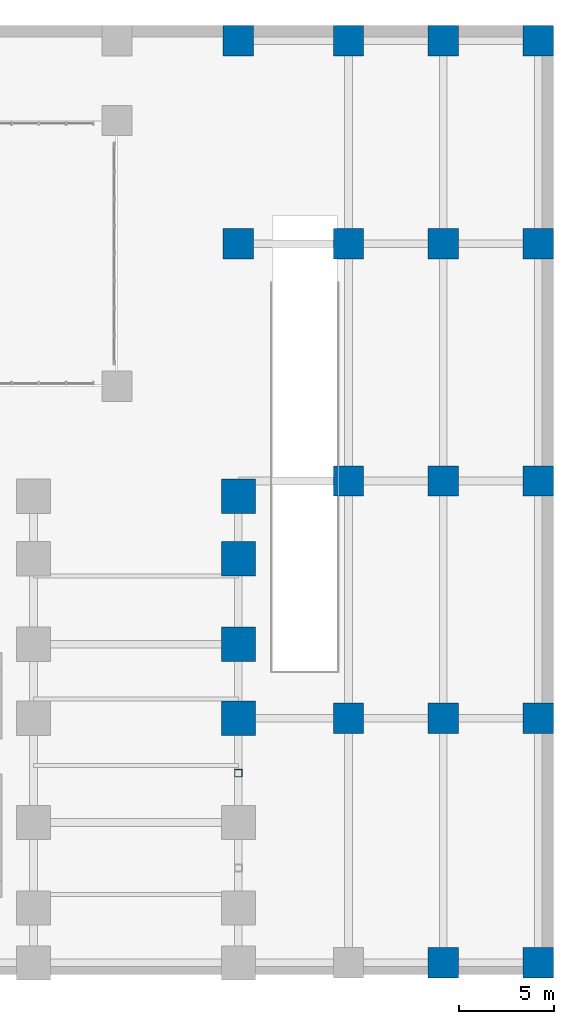
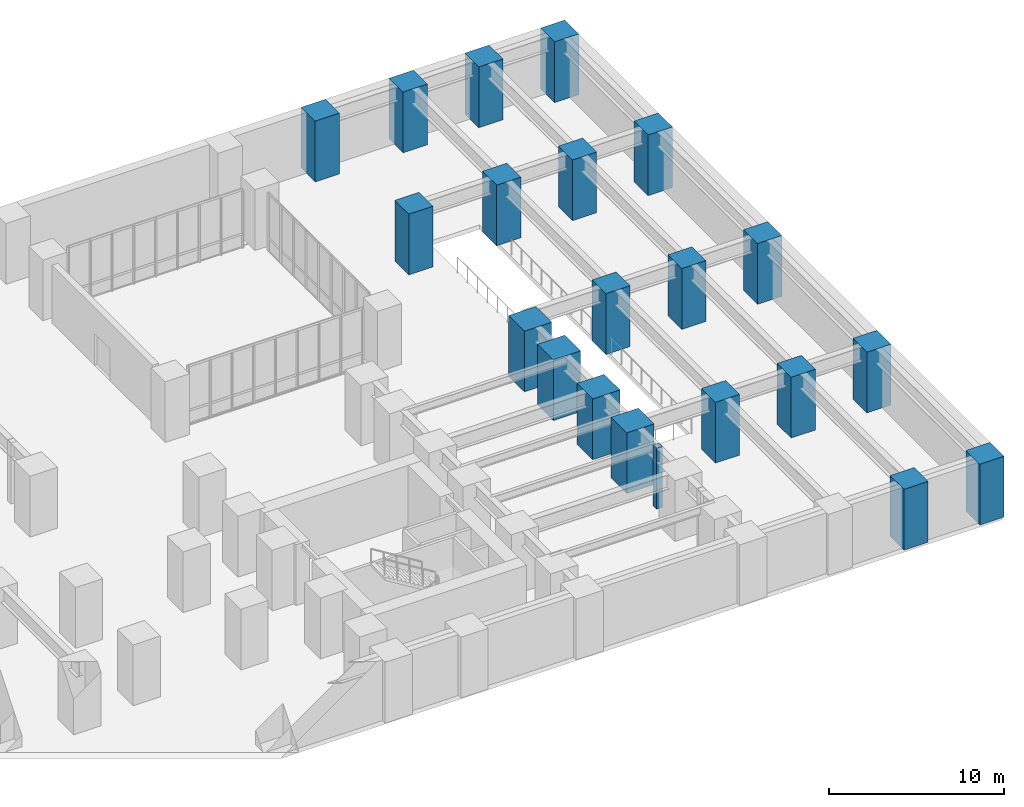
# One storey, part 5 of 18: 21 columns.
"""IFC4 building model written with IfcOpenShell, lengths in metres."""

from ifc_helpers import new_model, si_unit, direction, frame, origin, origin_2d, place, context, subcontext, project, spatial, rectangle, hollow_rectangle, extrude, source, transform, mapped, material, material_profile, profile_set, type_object, element, save


model = new_model("IFC4")

# Units and contexts
model_context = context("Model", 3, precision=1e-05, world=origin(), true_north=direction((0.0, 1.0)))
body_context = subcontext(model_context, "Body", "Model", "MODEL_VIEW")
ifc_project = project(units=[si_unit("LENGTHUNIT", "METRE"), si_unit("AREAUNIT", "SQUARE_METRE"), si_unit("VOLUMEUNIT", "CUBIC_METRE"), si_unit("PLANEANGLEUNIT", "RADIAN"), si_unit("MASSUNIT", "GRAM", prefix="KILO")], contexts=[model_context])

# Site, building, storey
site_placement = place(None, origin())
site = spatial("IfcSite", under=ifc_project, at=site_placement, CompositionType="ELEMENT")
building_placement = place(site_placement, origin())
building = spatial("IfcBuilding", under=site, at=building_placement, Name="Kharzan Plaza Tower", CompositionType="ELEMENT")
storey_placement = place(building_placement, frame((0.0, 0.0, -4.5)))
storey = spatial("IfcBuildingStorey", under=building, at=storey_placement, Name="B01", CompositionType="ELEMENT", Elevation=-4.5)

# Columns
ifc_material_1 = material(Name="Concrete C60/75", Category="concrete")
ifc_material_profile_1 = material_profile(ifc_material_1, rectangle(XDim=1.60009765625, YDim=1.60009765625, at=origin_2d()), Name="RC-MC1600x1600")
ifc_profile_set_1 = profile_set([ifc_material_profile_1], Name="Concrete C60/75")
column_type_1 = type_object("IfcColumnType", Name="COL-BC1600", PredefinedType="COLUMN", material=ifc_profile_set_1)
shared_shape_1 = source(origin(), body_context, "Body", "SweptSolid", [
    extrude(rectangle(XDim=1.60009765625, YDim=1.60009765625, at=origin_2d()), origin(), (0.0, 0.0, 1.0), 4.239990234375),
])
for number, where, z_axis, x_axis, name in (
    (1, (58.39990234375, 38.5, 0.0), (0.0, 0.0, 1.0), (1.0, 0.0, 0.0), "B01 Structural Column BC07"),
    (2, (58.39990234375, 49.199951171875, 0.0), (0.0, 0.0, 1.0), (1.0, 0.0, 0.0), "B01 Structural Column BC08"),
    (3, (64.199951171875, 13.5, 0.0), (0.0, 0.0, 1.0), (1.0, 0.0, 0.0), "B01 Structural Column BC10"),
    (4, (64.199951171875, 26.0, 0.0), (0.0, 0.0, 1.0), (1.0, 0.0, 0.0), "B01 Structural Column BC11"),
    (5, (64.199951171875, 38.5, 0.0), (0.0, 0.0, 1.0), (1.0, 0.0, 0.0), "B01 Structural Column BC12"),
    (6, (64.199951171875, 49.199951171875, 0.0), (0.0, 0.0, 1.0), (1.0, 0.0, 0.0), "B01 Structural Column BC13"),
    (7, (69.199951171875, 0.60009765625, 0.0), (0.0, 0.0, 1.0), (1.0, 0.0, 0.0), "B01 Structural Column BC14"),
    (8, (69.199951171875, 13.5, 0.0), (0.0, 0.0, 1.0), (1.0, 0.0, 0.0), "B01 Structural Column BC15"),
    (9, (69.199951171875, 26.0, 0.0), (0.0, 0.0, 1.0), (1.0, 0.0, 0.0), "B01 Structural Column BC16"),
    (10, (69.199951171875, 38.5, 0.0), (0.0, 0.0, 1.0), (1.0, 0.0, 0.0), "B01 Structural Column BC17"),
    (11, (69.199951171875, 49.199951171875, 0.0), (0.0, 0.0, 1.0), (1.0, 0.0, 0.0), "B01 Structural Column BC18"),
    (12, (74.199951171875, 0.60009765625, 0.0), (0.0, 0.0, 1.0), (1.0, 0.0, 0.0), "B01 Structural Column BC19"),
    (13, (74.199951171875, 13.5, 0.0), (0.0, 0.0, 1.0), (1.0, 0.0, 0.0), "B01 Structural Column BC20"),
    (14, (74.199951171875, 26.0, 0.0), (0.0, 0.0, 1.0), (1.0, 0.0, 0.0), "B01 Structural Column BC21"),
    (15, (74.199951171875, 38.5, 0.0), (0.0, 0.0, 1.0), (1.0, 0.0, 0.0), "B01 Structural Column BC22"),
    (16, (74.199951171875, 49.199951171875, 0.0), (0.0, 0.0, 1.0), (1.0, 0.0, 0.0), "B01 Structural Column BC23"),
):
    element("IfcColumn", number, at=place(storey_placement, frame(where, z_axis=z_axis, x_axis=x_axis)), inside=storey, type_object=column_type_1, Name=name, PredefinedType="COLUMN", context=body_context, shape_type="MappedRepresentation", body=[
        mapped(shared_shape_1, transform((0.0, 0.0, 0.0), x_axis=(1.0, 0.0, 0.0), y_axis=(0.0, 1.0, 0.0), z_axis=(0.0, 0.0, 1.0))),
    ])
ifc_material_profile_2 = material_profile(ifc_material_1, rectangle(XDim=1.800048828125, YDim=1.800048828125, at=origin_2d()), Name="RC-MC1800x1800")
ifc_profile_set_2 = profile_set([ifc_material_profile_2], Name="Concrete C60/75")
column_type_2 = type_object("IfcColumnType", Name="COL-MC1800", PredefinedType="COLUMN", material=ifc_profile_set_2)
shared_shape_2 = source(origin(), body_context, "Body", "SweptSolid", [
    extrude(rectangle(XDim=1.800048828125, YDim=1.800048828125, at=origin_2d()), origin(), (0.0, 0.0, 1.0), 4.239990234375),
])
for number, where, z_axis, x_axis, name in (
    (17, (58.39990234375, 13.5, 0.0), (0.0, 0.0, 1.0), (1.0, 0.0, 0.0), "B01 Podium Mega-Column MC27"),
    (18, (58.39990234375, 17.39990234375, 0.0), (0.0, 0.0, 1.0), (1.0, 0.0, 0.0), "B01 Podium Mega-Column MC28"),
    (19, (58.39990234375, 21.89990234375, 0.0), (0.0, 0.0, 1.0), (1.0, 0.0, 0.0), "B01 Podium Mega-Column MC29"),
    (20, (58.39990234375, 25.199951171875, 0.0), (0.0, 0.0, 1.0), (1.0, 0.0, 0.0), "B01 Podium Mega-Column MC30"),
):
    element("IfcColumn", number, at=place(storey_placement, frame(where, z_axis=z_axis, x_axis=x_axis)), inside=storey, type_object=column_type_2, Name=name, PredefinedType="COLUMN", context=body_context, shape_type="MappedRepresentation", body=[
        mapped(shared_shape_2, transform((0.0, 0.0, 0.0), x_axis=(1.0, 0.0, 0.0), y_axis=(0.0, 1.0, 0.0), z_axis=(0.0, 0.0, 1.0))),
    ])
ifc_material_2 = material(Name="Steel S355", Category="steel")
ifc_material_profile_3 = material_profile(ifc_material_2, hollow_rectangle(XDim=0.39990234375, YDim=0.39990234375, WallThickness=0.02001953125, at=origin_2d()), Name="SHS400x400x20")
ifc_profile_set_3 = profile_set([ifc_material_profile_3], Name="Steel S355")
column_type_3 = type_object("IfcColumnType", Name="COL-PIL400", PredefinedType="PILASTER", material=ifc_profile_set_3)
shared_shape_3 = source(origin(), body_context, "Body", "SweptSolid", [
    extrude(hollow_rectangle(XDim=0.39990234375, YDim=0.39990234375, WallThickness=0.02001953125, at=origin_2d()), origin(), (0.0, 0.0, 1.0), 4.239990234375),
])
column_placement = place(storey_placement, frame((58.39990234375, 10.60009765625, 0.0), z_axis=(0.0, 0.0, 1.0), x_axis=(1.0, 0.0, 0.0)))
element("IfcColumn", 21, at=column_placement, inside=storey, type_object=column_type_3, Name="B01 Portal Steel Pilaster 6", PredefinedType="PILASTER", context=body_context, shape_type="MappedRepresentation", body=[
    mapped(shared_shape_3, transform((0.0, 0.0, 0.0), x_axis=(1.0, 0.0, 0.0), y_axis=(0.0, 1.0, 0.0), z_axis=(0.0, 0.0, 1.0))),
])

save(model, "model.ifc")
